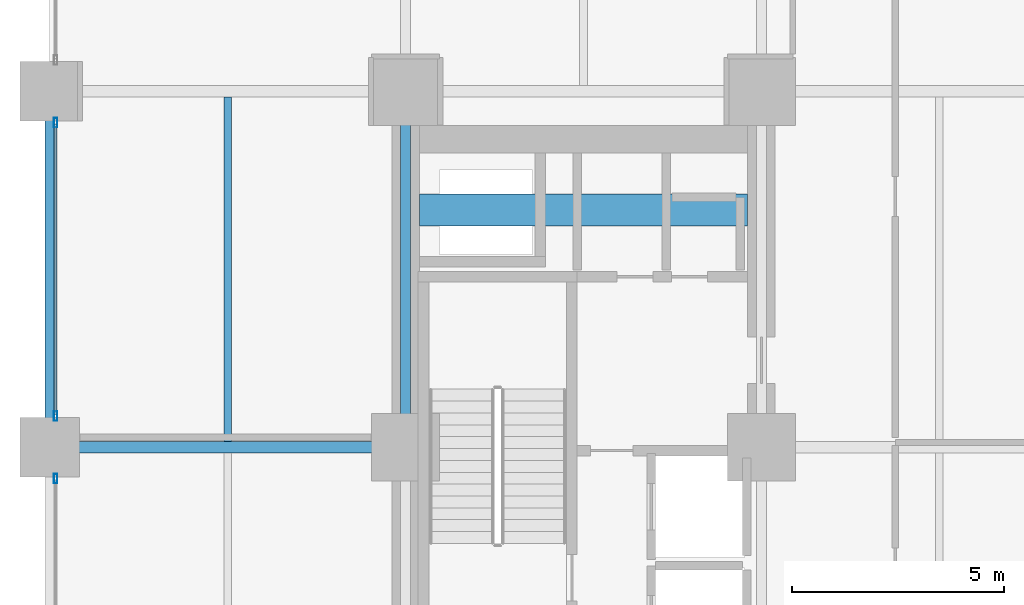
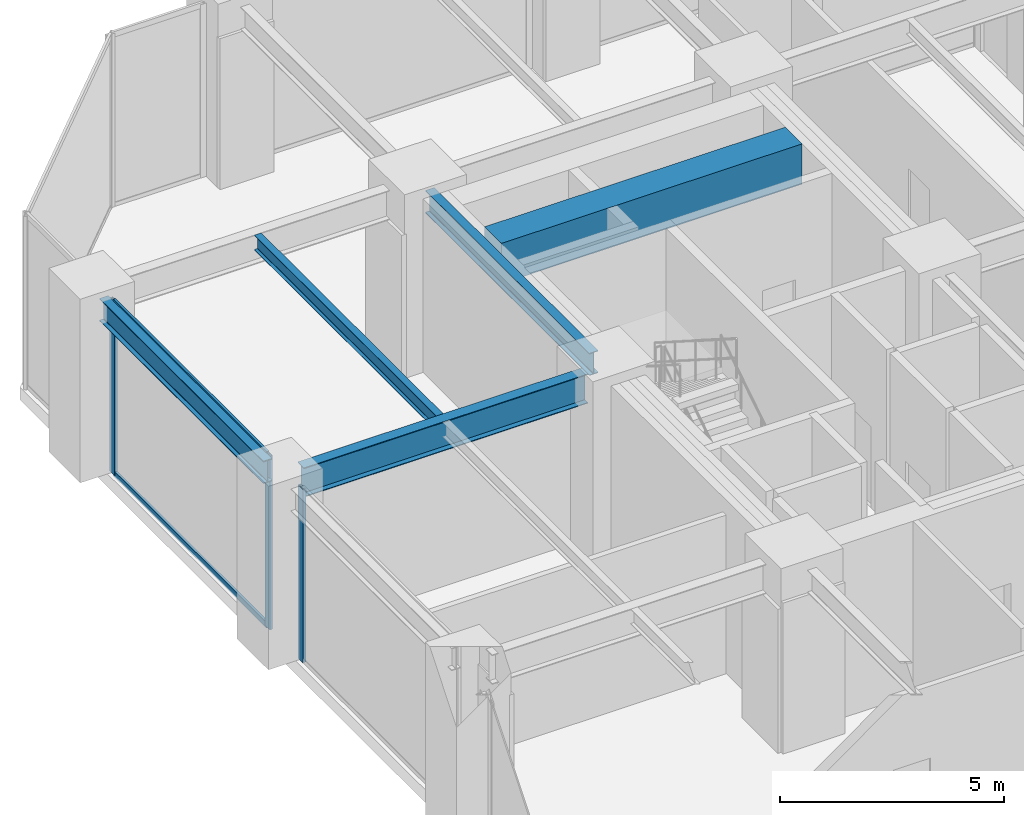
# One storey, part 8 of 21: 5 beams, 5 members, 2 elements without a shape of their own.
"""IFC4 building model written with IfcOpenShell, lengths in metres."""

from ifc_helpers import new_model, si_unit, direction, frame, origin, origin_2d, place, context, subcontext, project, spatial, rectangle, hollow_rectangle, i_section, extrude, material, layer, layer_set, material_profile, profile_set, type_object, element, aggregate, save


model = new_model("IFC4")

# Units and contexts
model_context = context("Model", 3, precision=1e-05, world=origin(), true_north=direction((0.0, 1.0)))
body_context = subcontext(model_context, "Body", "Model", "MODEL_VIEW")
ifc_project = project(units=[si_unit("LENGTHUNIT", "METRE"), si_unit("AREAUNIT", "SQUARE_METRE"), si_unit("VOLUMEUNIT", "CUBIC_METRE"), si_unit("PLANEANGLEUNIT", "RADIAN"), si_unit("MASSUNIT", "GRAM", prefix="KILO")], contexts=[model_context])

# Site, building, storey
site_placement = place(None, origin())
site = spatial("IfcSite", under=ifc_project, at=site_placement, CompositionType="ELEMENT")
building_placement = place(site_placement, origin())
building = spatial("IfcBuilding", under=site, at=building_placement, Name="Nerrivon Quay Data Exchange", CompositionType="ELEMENT")
storey_placement = place(building_placement, frame((0.0, 0.0, 19.800048828125)))
storey = spatial("IfcBuildingStorey", under=building, at=storey_placement, Name="L04", CompositionType="ELEMENT", Elevation=19.800048828125)

# Beams
ifc_material_1 = material(Name="Concrete S65 (65 MPa)", Category="concrete")
ifc_material_profile_1 = material_profile(ifc_material_1, rectangle(XDim=0.75, YDim=1.10009765625, at=origin_2d()), Name="RC-CB-750x1100")
ifc_profile_set_1 = profile_set([ifc_material_profile_1], Name="Concrete S65 (65 MPa)")
beam_type_1 = type_object("IfcBeamType", Name="BM-CB1-750x1100", PredefinedType="LINTEL", material=ifc_profile_set_1)
beam_1_placement = place(storey_placement, frame((8.72509765625, 39.199951171875, 4.175048828125), z_axis=(1.0, 0.0, 0.0), x_axis=(0.0, 1.0, 0.0)))
element("IfcBeam", 1, at=beam_1_placement, inside=storey, type_object=beam_type_1, Name="L04 West Core Coupling Beam", PredefinedType="LINTEL", context=body_context, shape_type="SweptSolid", body=[
    extrude(rectangle(XDim=0.75, YDim=1.10009765625, at=origin_2d()), origin(), (0.0, 0.0, 1.0), 7.75),
])
ifc_material_2 = material(Name="Steel Grade 350", Category="steel")
ifc_material_profile_2 = material_profile(ifc_material_2, i_section(OverallWidth=0.22900390625, OverallDepth=0.612060546875, WebThickness=0.011962890625, FlangeThickness=0.01953125, FilletRadius=0.013916015625, at=origin_2d()), Name="610UB125")
ifc_profile_set_2 = profile_set([ifc_material_profile_2], Name="Steel Grade 350")
beam_type_2 = type_object("IfcBeamType", Name="BM-G1-610UB125", PredefinedType="BEAM", material=ifc_profile_set_2)
for number, where, z_axis, x_axis, name in (
    (2, (0.0, 34.139892578125, 4.4189453125), (0.0, 1.0, 0.0), (-1.0, 0.0, 0.0), "L04 NS Girder X=0.0 (33.6..42.0)"),
    (3, (8.39990234375, 34.139892578125, 4.4189453125), (0.0, 1.0, 0.0), (-1.0, 0.0, 0.0), "L04 NS Girder X=8.4 (33.6..42.0)"),
):
    element("IfcBeam", number, at=place(storey_placement, frame(where, z_axis=z_axis, x_axis=x_axis)), inside=storey, type_object=beam_type_2, Name=name, PredefinedType="BEAM", context=body_context, shape_type="SweptSolid", body=[
        extrude(i_section(OverallWidth=0.22900390625, OverallDepth=0.612060546875, WebThickness=0.011962890625, FlangeThickness=0.01953125, FilletRadius=0.013916015625, at=origin_2d()), origin(), (0.0, 0.0, 1.0), 7.320068359375),
    ])
ifc_material_profile_3 = material_profile(ifc_material_2, i_section(OverallWidth=0.27490234375, OverallDepth=0.800048828125, WebThickness=0.010009765625, FlangeThickness=0.02001953125, at=origin_2d()), Name="800WB146")
ifc_profile_set_3 = profile_set([ifc_material_profile_3], Name="Steel Grade 350")
beam_type_3 = type_object("IfcBeamType", Name="BM-G8-800WB146", PredefinedType="BEAM", material=ifc_profile_set_3)
beam_2_placement = place(storey_placement, frame((0.5400390625, 33.60009765625, 4.324951171875), z_axis=(1.0, 0.0, 0.0), x_axis=(0.0, 1.0, 0.0)))
element("IfcBeam", 4, at=beam_2_placement, inside=storey, type_object=beam_type_3, Name="L04 EW Girder Y=33.6 (0.0..8.4)", PredefinedType="BEAM", context=body_context, shape_type="SweptSolid", body=[
    extrude(i_section(OverallWidth=0.27490234375, OverallDepth=0.800048828125, WebThickness=0.010009765625, FlangeThickness=0.02001953125, at=origin_2d()), origin(), (0.0, 0.0, 1.0), 7.320068359375),
])
ifc_material_profile_4 = material_profile(ifc_material_2, i_section(OverallWidth=0.177978515625, OverallDepth=0.403076171875, WebThickness=0.007568359375, FlangeThickness=0.010986328125, FilletRadius=0.011474609375, at=origin_2d()), Name="410UB53.7")
ifc_profile_set_4 = profile_set([ifc_material_profile_4], Name="Steel Grade 350")
beam_type_4 = type_object("IfcBeamType", Name="BM-J2-410UB54", PredefinedType="JOIST", material=ifc_profile_set_4)
beam_3_placement = place(storey_placement, frame((4.199951171875, 33.737548828125, 4.5234375), z_axis=(0.0, 1.0, 0.0), x_axis=(-1.0, 0.0, 0.0)))
element("IfcBeam", 5, at=beam_3_placement, inside=storey, type_object=beam_type_4, Name="L04 Secondary Joist X=4.2 (33.6..42.0)", PredefinedType="JOIST", context=body_context, shape_type="SweptSolid", body=[
    extrude(i_section(OverallWidth=0.177978515625, OverallDepth=0.403076171875, WebThickness=0.007568359375, FlangeThickness=0.010986328125, FilletRadius=0.011474609375, at=origin_2d()), origin(), (0.0, 0.0, 1.0), 8.125),
])

# Curtain wall, member
ifc_material_3 = material(Name="Anodised aluminium 6063-T6", Category="aluminium")
ifc_layer = layer(ifc_material_3, 0.239990234375)
ifc_layer_set = layer_set([ifc_layer], Name="Anodised aluminium 6063-T6")
curtain_wall_type = type_object("IfcCurtainWallType", Name="CW-SYS-03", PredefinedType="NOTDEFINED", material=ifc_layer_set)
curtain_wall_1_placement = place(storey_placement, origin())
curtain_wall_1 = element("IfcCurtainWall", 6, at=curtain_wall_1_placement, inside=storey, type_object=curtain_wall_type, Name="L04 Unitised Curtain Wall 16", PredefinedType="NOTDEFINED")
ifc_material_profile_5 = material_profile(ifc_material_3, hollow_rectangle(XDim=0.074951171875, YDim=0.219970703125, WallThickness=0.00390625, at=origin_2d()), Name="ALU-MULL-220x75")
ifc_profile_set_5 = profile_set([ifc_material_profile_5], Name="Anodised aluminium 6063-T6")
member_type_1 = type_object("IfcMemberType", Name="CWM-220x75", PredefinedType="MULLION", material=ifc_profile_set_5)
member_1_placement = place(storey_placement, frame((0.139892578125, 32.862548828125, 0.0), z_axis=(0.0, 0.0, 1.0), x_axis=(-1.0, 0.0, 0.0)))
member_1 = element("IfcMember", 7, at=member_1_placement, type_object=member_type_1, Name="CW03 mullion 2", PredefinedType="MULLION", context=body_context, shape_type="SweptSolid", body=[
    extrude(hollow_rectangle(XDim=0.074951171875, YDim=0.219970703125, WallThickness=0.00390625, at=origin_2d()), origin(), (0.0, 0.0, 1.0), 4.724853515625),
])
aggregate(curtain_wall_1, [member_1])

# Curtain wall, members
curtain_wall_2_placement = place(storey_placement, origin())
curtain_wall_2 = element("IfcCurtainWall", 8, at=curtain_wall_2_placement, inside=storey, type_object=curtain_wall_type, Name="L04 Unitised Curtain Wall 17", PredefinedType="NOTDEFINED")
member_2_placement = place(storey_placement, frame((0.139892578125, 34.33740234375, 0.0), z_axis=(0.0, 0.0, 1.0), x_axis=(-1.0, 0.0, 0.0)))
member_2 = element("IfcMember", 9, at=member_2_placement, type_object=member_type_1, Name="CW03 mullion 1", PredefinedType="MULLION", context=body_context, shape_type="SweptSolid", body=[
    extrude(hollow_rectangle(XDim=0.074951171875, YDim=0.219970703125, WallThickness=0.00390625, at=origin_2d()), origin(), (0.0, 0.0, 1.0), 4.724853515625),
])
member_3_placement = place(storey_placement, frame((0.139892578125, 41.262451171875, 0.0), z_axis=(0.0, 0.0, 1.0), x_axis=(-1.0, 0.0, 0.0)))
member_3 = element("IfcMember", 10, at=member_3_placement, type_object=member_type_1, Name="CW03 mullion 2", PredefinedType="MULLION", context=body_context, shape_type="SweptSolid", body=[
    extrude(hollow_rectangle(XDim=0.074951171875, YDim=0.219970703125, WallThickness=0.00390625, at=origin_2d()), origin(), (0.0, 0.0, 1.0), 4.724853515625),
])
ifc_material_profile_6 = material_profile(ifc_material_3, hollow_rectangle(XDim=0.06494140625, YDim=0.14990234375, WallThickness=0.00341796875, at=origin_2d()), Name="ALU-TRAN-150x65")
ifc_profile_set_6 = profile_set([ifc_material_profile_6], Name="Anodised aluminium 6063-T6")
member_type_2 = type_object("IfcMemberType", Name="CWT-150x65", PredefinedType="USERDEFINED", material=ifc_profile_set_6)
member_4_placement = place(storey_placement, frame((0.139892578125, 34.375, 0.032470703125), z_axis=(0.0, 1.0, 0.0), x_axis=(-1.0, 0.0, 0.0)))
member_4 = element("IfcMember", 11, at=member_4_placement, type_object=member_type_2, Name="CW03 transom 1.1", ObjectType="TRANSOM", PredefinedType="USERDEFINED", context=body_context, shape_type="SweptSolid", body=[
    extrude(hollow_rectangle(XDim=0.06494140625, YDim=0.14990234375, WallThickness=0.00341796875, at=origin_2d()), origin(), (0.0, 0.0, 1.0), 6.85009765625),
])
member_5_placement = place(storey_placement, frame((0.139892578125, 34.375, 4.6923828125), z_axis=(0.0, 1.0, 0.0), x_axis=(-1.0, 0.0, 0.0)))
member_5 = element("IfcMember", 12, at=member_5_placement, type_object=member_type_2, Name="CW03 transom 1.2", ObjectType="TRANSOM", PredefinedType="USERDEFINED", context=body_context, shape_type="SweptSolid", body=[
    extrude(hollow_rectangle(XDim=0.06494140625, YDim=0.14990234375, WallThickness=0.00341796875, at=origin_2d()), origin(), (0.0, 0.0, 1.0), 6.85009765625),
])
aggregate(curtain_wall_2, [member_2, member_3, member_4, member_5])

save(model, "model.ifc")
